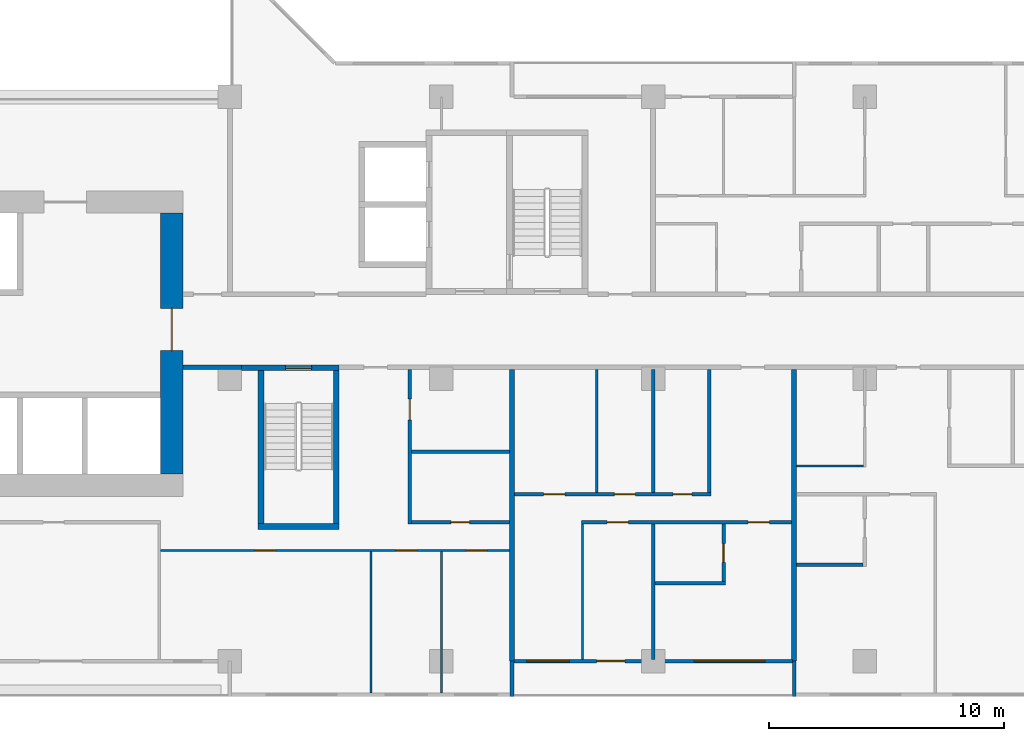
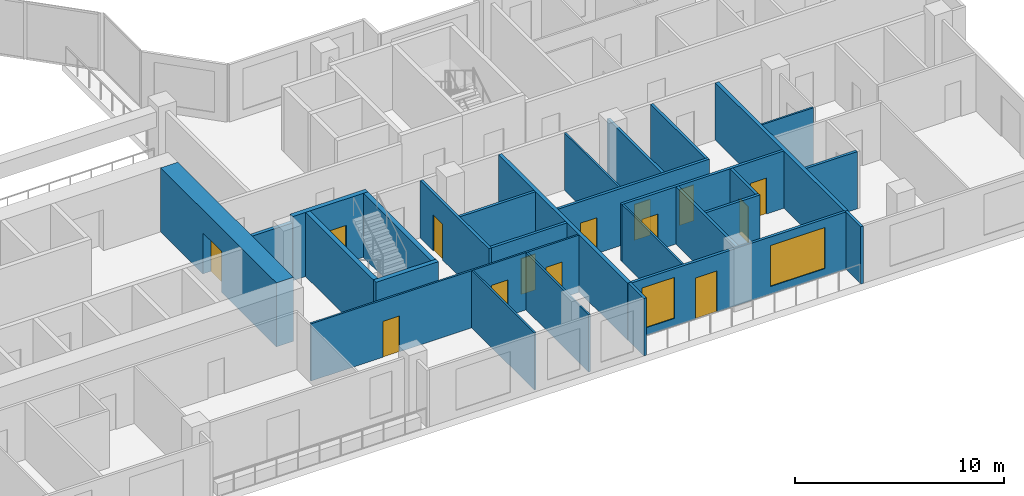
# One storey, part 6 of 14: 28 walls, 14 doors, 2 windows, 16 openings.
"""IFC4 building model written with IfcOpenShell, lengths in metres."""

import ifcopenshell
import ifcopenshell.guid

model = None  # the IFC model being written
_history = None  # IfcOwnerHistory: only IFC2X3 demands one
_inside = {}  # id of a spatial element -> (the spatial element, [elements in it])
_under = {}  # id of a project, library or spatial element -> (it, [spatial elements below it])
_declared = {}  # id of a project -> (the project, [libraries it declares])
_typed = {}  # id of a type object -> (the type object, [elements of that type])
_made_of = {}  # id of a material, layer set ... -> (it, [elements and type objects made of it])


def new_model(schema):
    """Start an empty IFC model of exactly this schema.

    Asked for "IFC4X3", IfcOpenShell would pick the latest addendum, in which some entities
    have other attributes; the version numbers below select the first issue.
    IFC2X3 requires an IfcOwnerHistory on every rooted entity: one is made here for all.
    """
    global model, _history
    if schema == "IFC4X3":
        model = ifcopenshell.file(schema_version=(4, 3, 0, 0))
    else:
        model = ifcopenshell.file(schema=schema)
    _inside.clear()
    _under.clear()
    _declared.clear()
    _typed.clear()
    _made_of.clear()
    _history = None
    if model.schema == "IFC2X3":
        org = make("IfcOrganization", Name="unknown")
        user = make(
            "IfcPersonAndOrganization",
            ThePerson=make("IfcPerson", FamilyName="unknown"),
            TheOrganization=org,
        )
        app = make(
            "IfcApplication",
            ApplicationDeveloper=org,
            Version="unknown",
            ApplicationFullName="unknown",
            ApplicationIdentifier="unknown",
        )
        _history = make(
            "IfcOwnerHistory",
            OwningUser=user,
            OwningApplication=app,
            ChangeAction="ADDED",
            CreationDate=0,
        )
    return model


def make(cls, **values):
    """One entity of the class cls with the attributes given. An attribute that is None is left unset."""
    return model.create_entity(
        cls, **{name: value for name, value in values.items() if value is not None}
    )


def rooted(cls, **values):
    """An entity with a GlobalId (a new one), such as an element, a storey or a relation."""
    return make(cls, GlobalId=ifcopenshell.guid.new(), OwnerHistory=_history, **values)


def si_unit(unit_type, name, prefix=None):
    """IfcSIUnit, for example si_unit("LENGTHUNIT", "METRE", prefix="MILLI")."""
    return make("IfcSIUnit", UnitType=unit_type, Prefix=prefix, Name=name)


def assignment(units):
    """IfcUnitAssignment: the units of a project."""
    return None if units is None else make("IfcUnitAssignment", Units=units)


def point(xyz):
    """IfcCartesianPoint."""
    return None if xyz is None else make("IfcCartesianPoint", Coordinates=xyz)


def direction(xyz):
    """IfcDirection."""
    return None if xyz is None else make("IfcDirection", DirectionRatios=xyz)


def frame(location, z_axis=None, x_axis=None):
    """IfcAxis2Placement3D, a coordinate frame: its origin and axes. An axis left out is left unset."""
    return make(
        "IfcAxis2Placement3D",
        Location=point(location),
        Axis=direction(z_axis),
        RefDirection=direction(x_axis),
    )


def frame_2d(location, x_axis=None):
    """IfcAxis2Placement2D, a coordinate frame in the plane: its origin and x axis."""
    return make(
        "IfcAxis2Placement2D", Location=point(location), RefDirection=direction(x_axis)
    )


def origin():
    """The frame at (0, 0, 0) with its axes left unset."""
    return frame((0.0, 0.0, 0.0))


def place(relative_to, where):
    """IfcLocalPlacement: puts the frame where relative to a parent placement (None: the world)."""
    return make(
        "IfcLocalPlacement", PlacementRelTo=relative_to, RelativePlacement=where
    )


def context(
    kind, dimensions, precision=None, world=None, true_north=None, identifier=None
):
    """IfcGeometricRepresentationContext, for example the 3D "Model" context."""
    return make(
        "IfcGeometricRepresentationContext",
        ContextIdentifier=identifier,
        ContextType=kind,
        CoordinateSpaceDimension=dimensions,
        Precision=precision,
        WorldCoordinateSystem=world,
        TrueNorth=true_north,
    )


def subcontext(parent, identifier, kind, view, scale=None):
    """IfcGeometricRepresentationSubContext, for example "Body" below "Model"."""
    return make(
        "IfcGeometricRepresentationSubContext",
        ContextIdentifier=identifier,
        ContextType=kind,
        ParentContext=parent,
        TargetScale=scale,
        TargetView=view,
    )


def project(units=None, contexts=None):
    """IfcProject with its units and contexts."""
    return rooted(
        "IfcProject",
        Name="project",
        RepresentationContexts=contexts,
        UnitsInContext=assignment(units),
    )


def spatial(cls, under=None, at=None, **own):
    """A site, building, storey or space (cls), placed at a placement, below another one or the project."""
    s = rooted(cls, ObjectPlacement=at, **own)
    if under is not None:
        _under.setdefault(under.id(), (under, []))[1].append(s)
    return s


def profile(cls, at=None, kind="AREA", **sizes):
    """A parametric profile (cls). Its sizes go by their IFC names, for example OverallWidth=200.0."""
    return make(cls, ProfileType=kind, Position=at, **sizes)


def rectangle(**sizes):
    """IfcRectangleProfileDef."""
    return profile("IfcRectangleProfileDef", **sizes)


def extrude(swept, where, along, depth):
    """IfcExtrudedAreaSolid: the profile swept, set in the frame where, extruded along a direction by depth."""
    return make(
        "IfcExtrudedAreaSolid",
        SweptArea=swept,
        Position=where,
        ExtrudedDirection=direction(along),
        Depth=depth,
    )


def shape(context_of_items, identifier, shape_type, items):
    """IfcShapeRepresentation: the items that make up one representation, for example the "Body"."""
    return make(
        "IfcShapeRepresentation",
        ContextOfItems=context_of_items,
        RepresentationIdentifier=identifier,
        RepresentationType=shape_type,
        Items=items,
    )


def material(Name=None, Category=None):
    """IfcMaterial."""
    return make("IfcMaterial", Name=Name, Category=Category)


def layer(
    of_material, thickness, ventilated=None, Name=None, Category=None, Priority=None
):
    """IfcMaterialLayer: one layer of a wall or slab, of a material (None: an air gap)."""
    return make(
        "IfcMaterialLayer",
        Material=of_material,
        LayerThickness=thickness,
        IsVentilated=ventilated,
        Name=Name,
        Category=Category,
        Priority=Priority,
    )


def layer_set(layers, Name=None):
    """IfcMaterialLayerSet."""
    return make("IfcMaterialLayerSet", MaterialLayers=layers, LayerSetName=Name)


def made_of(thing, what):
    """Note that an element or type object is made of a material, layer set ...; save() writes the relation."""
    if what is not None:
        _made_of.setdefault(what.id(), (what, []))[1].append(thing)
    return thing


def type_object(cls, material=None, **own):
    """A type object (cls), such as IfcWallType, which elements share."""
    return made_of(rooted(cls, **own), material)


def element(
    cls,
    number,
    at=None,
    inside=None,
    cuts=None,
    type_object=None,
    material=None,
    context=None,
    identifier="Body",
    shape_type=None,
    held_by="IfcProductDefinitionShape",
    body=None,
    shapes=None,
    **own,
):
    """One element of the class cls, such as IfcWall. Its Tag is "e" and its number.

    at: its placement. inside: the storey or other place that contains it. cuts: it is an
    opening in that element (IfcRelVoidsElement). A single representation is given by context,
    identifier, shape_type and body (its items); several are given by shapes. held_by: the class
    of the entity that holds the representations. save() writes the other relations.
    """
    e = rooted(cls, Tag="e%d" % number, ObjectPlacement=at, **own)
    if body is not None:
        shapes = [shape(context, identifier, shape_type, body)]
    if shapes is not None:
        e.Representation = make(held_by, Representations=shapes)
    if inside is not None:
        _inside.setdefault(inside.id(), (inside, []))[1].append(e)
    if cuts is not None:
        rooted(
            "IfcRelVoidsElement", RelatingBuildingElement=cuts, RelatedOpeningElement=e
        )
    if type_object is not None:
        _typed.setdefault(type_object.id(), (type_object, []))[1].append(e)
    return made_of(e, material)


def fill(opening, filler):
    """IfcRelFillsElement: the door or window that sits in an opening."""
    return rooted(
        "IfcRelFillsElement",
        RelatingOpeningElement=opening,
        RelatedBuildingElement=filler,
    )


def aggregate(whole, parts):
    """IfcRelAggregates: a whole, such as a stair, and the parts it consists of."""
    return rooted("IfcRelAggregates", RelatingObject=whole, RelatedObjects=parts)


def save(model, path):
    """Write the relations noted so far, then the file.

    IfcRelAggregates (storeys below a building ...), IfcRelContainedInSpatialStructure (elements
    in a storey), IfcRelDefinesByType, IfcRelAssociatesMaterial and IfcRelDeclares: one each for
    every whole, place, type object, material and project.
    """
    for whole, parts in _under.values():
        aggregate(whole, parts)
    for where, things in _inside.values():
        rooted(
            "IfcRelContainedInSpatialStructure",
            RelatedElements=things,
            RelatingStructure=where,
        )
    for kind, things in _typed.values():
        rooted("IfcRelDefinesByType", RelatedObjects=things, RelatingType=kind)
    for what, things in _made_of.values():
        rooted("IfcRelAssociatesMaterial", RelatedObjects=things, RelatingMaterial=what)
    for by, libraries in _declared.values():
        rooted("IfcRelDeclares", RelatingContext=by, RelatedDefinitions=libraries)
    model.write(path)


model = new_model("IFC4")

# Units and contexts
model_context = context("Model", 3, precision=1e-05, world=origin(), true_north=direction((0.0, 1.0)))
body_context = subcontext(model_context, "Body", "Model", "MODEL_VIEW")
ifc_project = project(units=[si_unit("LENGTHUNIT", "METRE"), si_unit("AREAUNIT", "SQUARE_METRE"), si_unit("VOLUMEUNIT", "CUBIC_METRE"), si_unit("PLANEANGLEUNIT", "RADIAN"), si_unit("MASSUNIT", "GRAM", prefix="KILO")], contexts=[model_context])

# Site, building, storey
site_placement = place(None, origin())
site = spatial("IfcSite", under=ifc_project, at=site_placement, CompositionType="ELEMENT")
building_placement = place(site_placement, origin())
building = spatial("IfcBuilding", under=site, at=building_placement, Name="Chenar Terraces", CompositionType="ELEMENT")
storey_placement = place(building_placement, frame((0.0, 0.0, 110.64990234375)))
storey = spatial("IfcBuildingStorey", under=building, at=storey_placement, Name="L25", CompositionType="ELEMENT", Elevation=110.64990234375)

# Wall
ifc_material_1 = material(Name="Concrete C70/85", Category="concrete")
ifc_layer_1 = layer(ifc_material_1, 0.25)
ifc_layer_set_1 = layer_set([ifc_layer_1], Name="Concrete C70/85")
wall_type_1 = type_object("IfcWallType", Name="Core wall 250 Concrete C70/85", PredefinedType="SHEAR", material=ifc_layer_set_1)
wall_1_placement = place(storey_placement, frame((37.199951171875, 5.72509765625, 0.0), z_axis=(0.0, 0.0, 1.0), x_axis=(1.0, 0.0, 0.0)))
element("IfcWall", 1, at=wall_1_placement, inside=storey, type_object=wall_type_1, Name="Core wall ST2_S L25", PredefinedType="SHEAR", context=body_context, shape_type="SweptSolid", body=[
    extrude(rectangle(XDim=3.449951171875, YDim=0.25, at=frame_2d((1.72509765625, 0.0))), origin(), (0.0, 0.0, 1.0), 3.75),
])

# Wall, opening, door
wall_2_placement = place(storey_placement, frame((36.5, 12.47509765625, 0.0), z_axis=(0.0, 0.0, 1.0), x_axis=(1.0, 0.0, 0.0)))
wall_2 = element("IfcWall", 2, at=wall_2_placement, inside=storey, type_object=wall_type_1, Name="Core wall ST2_N L25", PredefinedType="SHEAR", context=body_context, shape_type="SweptSolid", body=[
    extrude(rectangle(XDim=4.14990234375, YDim=0.25, at=frame_2d((2.074951171875, 0.0))), origin(), (0.0, 0.0, 1.0), 3.75),
])
opening_1_placement = place(wall_2_placement, frame((1.875, 0.0, 0.0)))
opening_1 = element("IfcOpeningElement", 3, at=opening_1_placement, cuts=wall_2, Name="Opening DL25-C7", PredefinedType="OPENING", context=body_context, shape_type="SweptSolid", body=[
    extrude(rectangle(XDim=1.10009765625, YDim=2.199951171875, at=frame_2d((0.550048828125, 1.10009765625))), frame((0.0, 0.135009765625, 0.0), z_axis=(0.0, -1.0, 0.0), x_axis=(1.0, 0.0, 0.0)), (0.0, 0.0, 1.0), 0.27001953125),
])
ifc_material_2 = material(Name="Steel-framed fire-resisting door leaf", Category="steel")
door_type_1 = type_object("IfcDoorType", Name="Stair fire door FD60 1100 x 2200", OperationType="SINGLE_SWING_LEFT", PredefinedType="DOOR", material=ifc_material_2)
door_1_placement = place(opening_1_placement, frame((1.10009765625, 0.0, 0.0), z_axis=(0.0, 0.0, 1.0), x_axis=(-1.0, 0.0, 0.0)))
door_1 = element("IfcDoor", 4, at=door_1_placement, inside=storey, type_object=door_type_1, Name="Stair door DL25-C7", OperationType="SINGLE_SWING_RIGHT", OverallHeight=2.199951171875, OverallWidth=1.10009765625, PredefinedType="DOOR", context=body_context, shape_type="SweptSolid", body=[
    extrude(rectangle(XDim=1.10009765625, YDim=2.199951171875, at=frame_2d((0.550048828125, 1.10009765625))), frame((0.0, 0.02490234375, 0.0), z_axis=(0.0, -1.0, 0.0), x_axis=(1.0, 0.0, 0.0)), (0.0, 0.0, 1.0), 0.050048828125),
])
fill(opening_1, door_1)

# Walls
for number, where, z_axis, x_axis, name in (
    (5, (37.324951171875, 5.85009765625, 0.0), (0.0, 0.0, 1.0), (0.0, 1.0, 0.0), "Core wall ST2_W L25"),
    (6, (40.52490234375, 5.85009765625, 0.0), (0.0, 0.0, 1.0), (0.0, 1.0, 0.0), "Core wall ST2_E L25"),
):
    element("IfcWall", number, at=place(storey_placement, frame(where, z_axis=z_axis, x_axis=x_axis)), inside=storey, type_object=wall_type_1, Name=name, PredefinedType="SHEAR", context=body_context, shape_type="SweptSolid", body=[
        extrude(rectangle(XDim=6.5, YDim=0.25, at=frame_2d((3.25, 0.0))), origin(), (0.0, 0.0, 1.0), 3.75),
    ])

# Wall, opening, door
ifc_material_3 = material(Name="Concrete C70/85", Category="concrete")
ifc_layer_2 = layer(ifc_material_3, 0.949951171875)
ifc_layer_set_2 = layer_set([ifc_layer_2], Name="Concrete C70/85")
wall_type_2 = type_object("IfcWallType", Name="Core wall 950 Concrete C70/85", PredefinedType="SHEAR", material=ifc_layer_set_2)
wall_3_placement = place(storey_placement, frame((33.52490234375, 7.949951171875, 0.0), z_axis=(0.0, 0.0, 1.0), x_axis=(0.0, 1.0, 0.0)))
wall_3 = element("IfcWall", 7, at=wall_3_placement, inside=storey, type_object=wall_type_2, Name="Core wall E L25", PredefinedType="SHEAR", context=body_context, shape_type="SweptSolid", body=[
    extrude(rectangle(XDim=11.10009765625, YDim=0.949951171875, at=frame_2d((5.550048828125, 0.0))), origin(), (0.0, 0.0, 1.0), 3.75),
])
opening_2_placement = place(wall_3_placement, frame((5.25, 0.0, 0.0)))
opening_2 = element("IfcOpeningElement", 8, at=opening_2_placement, cuts=wall_3, Name="Opening DL25-C1", PredefinedType="OPENING", context=body_context, shape_type="SweptSolid", body=[
    extrude(rectangle(XDim=1.800048828125, YDim=2.39990234375, at=frame_2d((0.89990234375, 1.199951171875))), frame((0.0, 0.48486328125, 0.0), z_axis=(0.0, -1.0, 0.0), x_axis=(1.0, 0.0, 0.0)), (0.0, 0.0, 1.0), 0.969970703125),
])
ifc_material_4 = material(Name="Steel-framed fire-resisting door leaf", Category="steel")
door_type_2 = type_object("IfcDoorType", Name="Core entrance double fire door FD60 1800 x 2400", OperationType="DOUBLE_DOOR_SINGLE_SWING", PredefinedType="DOOR", material=ifc_material_4)
door_2_placement = place(opening_2_placement, origin())
door_2 = element("IfcDoor", 9, at=door_2_placement, inside=storey, type_object=door_type_2, Name="Core door DL25-C1", OperationType="DOUBLE_DOOR_SINGLE_SWING", OverallHeight=2.39990234375, OverallWidth=1.800048828125, PredefinedType="DOOR", context=body_context, shape_type="SweptSolid", body=[
    extrude(rectangle(XDim=1.800048828125, YDim=2.39990234375, at=frame_2d((0.89990234375, 1.199951171875))), frame((0.0, 0.02490234375, 0.0), z_axis=(0.0, -1.0, 0.0), x_axis=(1.0, 0.0, 0.0)), (0.0, 0.0, 1.0), 0.050048828125),
])
fill(opening_2, door_2)

# Wall
ifc_material_5 = material(Name="Gypsum board on steel studs with fire boards", Category="steel")
ifc_layer_3 = layer(ifc_material_5, 0.199951171875)
ifc_layer_set_3 = layer_set([ifc_layer_3], Name="Gypsum board on steel studs with fire boards")
wall_type_3 = type_object("IfcWallType", Name="Corridor wall 200", PredefinedType="PARTITIONING", material=ifc_layer_set_3)
wall_4_placement = place(storey_placement, frame((34.0, 12.5, 0.0), z_axis=(0.0, 0.0, 1.0), x_axis=(1.0, 0.0, 0.0)))
element("IfcWall", 10, at=wall_4_placement, inside=storey, type_object=wall_type_3, Name="Partition L25-061", PredefinedType="PARTITIONING", context=body_context, shape_type="SweptSolid", body=[
    extrude(rectangle(XDim=2.5009765625, YDim=0.199951171875, at=frame_2d((1.25048828125, 0.0))), origin(), (0.0, 0.0, 1.0), 3.35009765625),
])

# Wall, openings, windows, door
ifc_material_6 = material(Name="Aluminium framed glazing", Category="aluminium")
ifc_layer_4 = layer(ifc_material_6, 0.14990234375)
ifc_layer_set_4 = layer_set([ifc_layer_4], Name="Aluminium framed glazing")
wall_type_4 = type_object("IfcWallType", Name="Glazed loggia back wall 150", PredefinedType="SOLIDWALL", material=ifc_layer_set_4)
wall_5_placement = place(storey_placement, frame((48.074951171875, 0.0, 0.0), z_axis=(0.0, 0.0, 1.0), x_axis=(1.0, 0.0, 0.0)))
wall_5 = element("IfcWall", 11, at=wall_5_placement, inside=storey, type_object=wall_type_4, Name="Glazed loggia back wall", PredefinedType="SOLIDWALL", context=body_context, shape_type="SweptSolid", body=[
    extrude(rectangle(XDim=11.85009765625, YDim=0.14990234375, at=frame_2d((5.925048828125, 0.0))), origin(), (0.0, 0.0, 1.0), 3.35009765625),
])
opening_3_placement = place(wall_5_placement, frame((0.5625, 0.0, 0.449951171875)))
opening_3 = element("IfcOpeningElement", 12, at=opening_3_placement, cuts=wall_5, Name="Opening W180x240", PredefinedType="OPENING", context=body_context, shape_type="SweptSolid", body=[
    extrude(rectangle(XDim=1.800048828125, YDim=2.39990234375, at=frame_2d((0.89990234375, 1.199951171875))), frame((0.0, 0.0849609375, 0.0), z_axis=(0.0, -1.0, 0.0), x_axis=(1.0, 0.0, 0.0)), (0.0, 0.0, 1.0), 0.169921875),
])
opening_4_placement = place(wall_5_placement, frame((3.52490234375, 0.0, 0.0)))
opening_4 = element("IfcOpeningElement", 13, at=opening_4_placement, cuts=wall_5, Name="Opening DL25-G7", PredefinedType="OPENING", context=body_context, shape_type="SweptSolid", body=[
    extrude(rectangle(XDim=1.199951171875, YDim=2.39990234375, at=frame_2d((0.60009765625, 1.199951171875))), frame((0.0, 0.0849609375, 0.0), z_axis=(0.0, -1.0, 0.0), x_axis=(1.0, 0.0, 0.0)), (0.0, 0.0, 1.0), 0.169921875),
])
opening_5_placement = place(wall_5_placement, frame((7.6875, 0.0, 0.449951171875)))
opening_5 = element("IfcOpeningElement", 14, at=opening_5_placement, cuts=wall_5, Name="Opening W300x240", PredefinedType="OPENING", context=body_context, shape_type="SweptSolid", body=[
    extrude(rectangle(XDim=3.0, YDim=2.39990234375, at=frame_2d((1.5, 1.199951171875))), frame((0.0, 0.0849609375, 0.0), z_axis=(0.0, -1.0, 0.0), x_axis=(1.0, 0.0, 0.0)), (0.0, 0.0, 1.0), 0.169921875),
])
ifc_material_7 = material(Name="Low emissivity double glazing, aluminium frame", Category="aluminium")
window_type_1 = type_object("IfcWindowType", Name="Fixed light 1800 x 2400", PartitioningType="SINGLE_PANEL", PredefinedType="WINDOW", material=ifc_material_7)
window_1_placement = place(opening_3_placement, origin())
window_1 = element("IfcWindow", 15, at=window_1_placement, inside=storey, type_object=window_type_1, Name="Window", OverallHeight=2.39990234375, OverallWidth=1.800048828125, PartitioningType="SINGLE_PANEL", PredefinedType="WINDOW", context=body_context, shape_type="SweptSolid", body=[
    extrude(rectangle(XDim=1.800048828125, YDim=2.39990234375, at=frame_2d((0.89990234375, 1.199951171875))), frame((0.0, 0.030029296875, 0.0), z_axis=(0.0, -1.0, 0.0), x_axis=(1.0, 0.0, 0.0)), (0.0, 0.0, 1.0), 0.06005859375),
])
fill(opening_3, window_1)
ifc_material_8 = material(Name="Low emissivity double glazing, aluminium frame", Category="aluminium")
window_type_2 = type_object("IfcWindowType", Name="Fixed light 3000 x 2400", PartitioningType="SINGLE_PANEL", PredefinedType="WINDOW", material=ifc_material_8)
window_2_placement = place(opening_5_placement, origin())
window_2 = element("IfcWindow", 16, at=window_2_placement, inside=storey, type_object=window_type_2, Name="Window", OverallHeight=2.39990234375, OverallWidth=3.0, PartitioningType="SINGLE_PANEL", PredefinedType="WINDOW", context=body_context, shape_type="SweptSolid", body=[
    extrude(rectangle(XDim=3.0, YDim=2.39990234375, at=frame_2d((1.5, 1.199951171875))), frame((0.0, 0.030029296875, 0.0), z_axis=(0.0, -1.0, 0.0), x_axis=(1.0, 0.0, 0.0)), (0.0, 0.0, 1.0), 0.06005859375),
])
fill(opening_5, window_2)
ifc_material_9 = material(Name="Low emissivity double glazing, aluminium frame", Category="aluminium")
door_type_3 = type_object("IfcDoorType", Name="Loggia glazed double door 1200 x 2400", OperationType="DOUBLE_DOOR_SINGLE_SWING", PredefinedType="DOOR", material=ifc_material_9)
door_3_placement = place(opening_4_placement, frame((1.199951171875, 0.0, 0.0), z_axis=(0.0, 0.0, 1.0), x_axis=(-1.0, 0.0, 0.0)))
door_3 = element("IfcDoor", 17, at=door_3_placement, inside=storey, type_object=door_type_3, Name="Loggia glazed door", OperationType="DOUBLE_DOOR_SINGLE_SWING", OverallHeight=2.39990234375, OverallWidth=1.199951171875, PredefinedType="DOOR", context=body_context, shape_type="SweptSolid", body=[
    extrude(rectangle(XDim=1.199951171875, YDim=2.39990234375, at=frame_2d((0.60009765625, 1.199951171875))), frame((0.0, 0.02490234375, 0.0), z_axis=(0.0, -1.0, 0.0), x_axis=(1.0, 0.0, 0.0)), (0.0, 0.0, 1.0), 0.050048828125),
])
fill(opening_4, door_3)

# Wall, openings, doors
ifc_material_10 = material(Name="Gypsum board on steel studs", Category="steel")
ifc_layer_5 = layer(ifc_material_10, 0.10009765625)
ifc_layer_set_5 = layer_set([ifc_layer_5], Name="Gypsum board on steel studs")
wall_type_5 = type_object("IfcWallType", Name="Gypsum partition 100", PredefinedType="PARTITIONING", material=ifc_layer_set_5)
wall_6_placement = place(storey_placement, frame((33.050048828125, 4.699951171875, 0.0), z_axis=(0.0, 0.0, 1.0), x_axis=(1.0, 0.0, 0.0)))
wall_6 = element("IfcWall", 18, at=wall_6_placement, inside=storey, type_object=wall_type_5, Name="Partition L25-060", PredefinedType="PARTITIONING", context=body_context, shape_type="SweptSolid", body=[
    extrude(rectangle(XDim=14.849853515625, YDim=0.10009765625, at=frame_2d((7.4248046875, 0.0))), origin(), (0.0, 0.0, 1.0), 3.35009765625),
])
opening_6_placement = place(wall_6_placement, frame((10.0, 0.0, 0.0)))
opening_6 = element("IfcOpeningElement", 19, at=opening_6_placement, cuts=wall_6, Name="Opening DL25-54", PredefinedType="OPENING", context=body_context, shape_type="SweptSolid", body=[
    extrude(rectangle(XDim=0.89990234375, YDim=2.10009765625, at=frame_2d((0.449951171875, 1.050048828125))), frame((0.0, 0.06005859375, 0.0), z_axis=(0.0, -1.0, 0.0), x_axis=(1.0, 0.0, 0.0)), (0.0, 0.0, 1.0), 0.1201171875),
])
opening_7_placement = place(wall_6_placement, frame((13.0, 0.0, 0.0)))
opening_7 = element("IfcOpeningElement", 20, at=opening_7_placement, cuts=wall_6, Name="Opening DL25-55", PredefinedType="OPENING", context=body_context, shape_type="SweptSolid", body=[
    extrude(rectangle(XDim=0.89990234375, YDim=2.10009765625, at=frame_2d((0.449951171875, 1.050048828125))), frame((0.0, 0.06005859375, 0.0), z_axis=(0.0, -1.0, 0.0), x_axis=(1.0, 0.0, 0.0)), (0.0, 0.0, 1.0), 0.1201171875),
])
opening_8_placement = place(wall_6_placement, frame((4.0, 0.0, 0.0)))
opening_8 = element("IfcOpeningElement", 21, at=opening_8_placement, cuts=wall_6, Name="Opening DL25-63", PredefinedType="OPENING", context=body_context, shape_type="SweptSolid", body=[
    extrude(rectangle(XDim=0.89990234375, YDim=2.10009765625, at=frame_2d((0.449951171875, 1.050048828125))), frame((0.0, 0.06005859375, 0.0), z_axis=(0.0, -1.0, 0.0), x_axis=(1.0, 0.0, 0.0)), (0.0, 0.0, 1.0), 0.1201171875),
])
ifc_material_11 = material(Name="Veneered timber door leaf", Category="wood")
door_type_4 = type_object("IfcDoorType", Name="Door 900 x 2100", OperationType="SINGLE_SWING_LEFT", PredefinedType="DOOR", material=ifc_material_11)
door_4_placement = place(opening_6_placement, frame((0.89990234375, 0.0, 0.0), z_axis=(0.0, 0.0, 1.0), x_axis=(-1.0, 0.0, 0.0)))
door_4 = element("IfcDoor", 22, at=door_4_placement, inside=storey, type_object=door_type_4, Name="Door DL25-54", OperationType="SINGLE_SWING_LEFT", OverallHeight=2.10009765625, OverallWidth=0.89990234375, PredefinedType="DOOR", context=body_context, shape_type="SweptSolid", body=[
    extrude(rectangle(XDim=0.89990234375, YDim=2.10009765625, at=frame_2d((0.449951171875, 1.050048828125))), frame((0.0, 0.02490234375, 0.0), z_axis=(0.0, -1.0, 0.0), x_axis=(1.0, 0.0, 0.0)), (0.0, 0.0, 1.0), 0.050048828125),
])
fill(opening_6, door_4)
door_5_placement = place(opening_7_placement, frame((0.89990234375, 0.0, 0.0), z_axis=(0.0, 0.0, 1.0), x_axis=(-1.0, 0.0, 0.0)))
door_5 = element("IfcDoor", 23, at=door_5_placement, inside=storey, type_object=door_type_4, Name="Door DL25-55", OperationType="SINGLE_SWING_LEFT", OverallHeight=2.10009765625, OverallWidth=0.89990234375, PredefinedType="DOOR", context=body_context, shape_type="SweptSolid", body=[
    extrude(rectangle(XDim=0.89990234375, YDim=2.10009765625, at=frame_2d((0.449951171875, 1.050048828125))), frame((0.0, 0.02490234375, 0.0), z_axis=(0.0, -1.0, 0.0), x_axis=(1.0, 0.0, 0.0)), (0.0, 0.0, 1.0), 0.050048828125),
])
fill(opening_7, door_5)
door_6_placement = place(opening_8_placement, frame((0.89990234375, 0.0, 0.0), z_axis=(0.0, 0.0, 1.0), x_axis=(-1.0, 0.0, 0.0)))
door_6 = element("IfcDoor", 24, at=door_6_placement, inside=storey, type_object=door_type_4, Name="Door DL25-63", OperationType="SINGLE_SWING_LEFT", OverallHeight=2.10009765625, OverallWidth=0.89990234375, PredefinedType="DOOR", context=body_context, shape_type="SweptSolid", body=[
    extrude(rectangle(XDim=0.89990234375, YDim=2.10009765625, at=frame_2d((0.449951171875, 1.050048828125))), frame((0.0, 0.02490234375, 0.0), z_axis=(0.0, -1.0, 0.0), x_axis=(1.0, 0.0, 0.0)), (0.0, 0.0, 1.0), 0.050048828125),
])
fill(opening_8, door_6)

# Walls
wall_7_placement = place(storey_placement, frame((42.0, -1.35009765625, 0.0), z_axis=(0.0, 0.0, 1.0), x_axis=(0.0, 1.0, 0.0)))
element("IfcWall", 25, at=wall_7_placement, inside=storey, type_object=wall_type_5, Name="Partition L25-065", PredefinedType="PARTITIONING", context=body_context, shape_type="SweptSolid", body=[
    extrude(rectangle(XDim=6.0, YDim=0.10009765625, at=frame_2d((3.0, 0.0))), origin(), (0.0, 0.0, 1.0), 3.35009765625),
])
wall_8_placement = place(storey_placement, frame((45.0, -1.35107421875, 0.0), z_axis=(0.0, 0.0, 1.0), x_axis=(0.0, 1.0, 0.0)))
element("IfcWall", 26, at=wall_8_placement, inside=storey, type_object=wall_type_5, Name="Partition L25-069", PredefinedType="PARTITIONING", context=body_context, shape_type="SweptSolid", body=[
    extrude(rectangle(XDim=6.0009765625, YDim=0.10009765625, at=frame_2d((3.00048828125, 0.0))), origin(), (0.0, 0.0, 1.0), 3.35009765625),
])
wall_9_placement = place(storey_placement, frame((51.0, 0.073974609375, 0.0), z_axis=(0.0, 0.0, 1.0), x_axis=(0.0, 1.0, 0.0)))
element("IfcWall", 27, at=wall_9_placement, inside=storey, type_object=wall_type_5, Name="Partition L25-074", PredefinedType="PARTITIONING", context=body_context, shape_type="SweptSolid", body=[
    extrude(rectangle(XDim=5.7509765625, YDim=0.10009765625, at=frame_2d((2.87548828125, 0.0))), origin(), (0.0, 0.0, 1.0), 3.35009765625),
])
wall_10_placement = place(storey_placement, frame((51.60009765625, 7.175048828125, 0.0), z_axis=(0.0, 0.0, 1.0), x_axis=(0.0, 1.0, 0.0)))
element("IfcWall", 28, at=wall_10_placement, inside=storey, type_object=wall_type_5, Name="Partition L25-076", PredefinedType="PARTITIONING", context=body_context, shape_type="SweptSolid", body=[
    extrude(rectangle(XDim=5.224853515625, YDim=0.10009765625, at=frame_2d((2.6123046875, 0.0))), origin(), (0.0, 0.0, 1.0), 3.35009765625),
])
wall_11_placement = place(storey_placement, frame((60.10009765625, 8.300048828125, 0.0), z_axis=(0.0, 0.0, 1.0), x_axis=(1.0, 0.0, 0.0)))
element("IfcWall", 29, at=wall_11_placement, inside=storey, type_object=wall_type_5, Name="Partition L25-091", PredefinedType="PARTITIONING", context=body_context, shape_type="SweptSolid", body=[
    extrude(rectangle(XDim=2.849853515625, YDim=0.10009765625, at=frame_2d((1.4248046875, 0.0))), origin(), (0.0, 0.0, 1.0), 3.35009765625),
])
ifc_material_12 = material(Name="Terracotta cladding on insulated backing", Category="masonry")
ifc_layer_6 = layer(ifc_material_12, 0.14990234375)
ifc_layer_set_6 = layer_set([ifc_layer_6], Name="Terracotta cladding on insulated backing")
wall_type_6 = type_object("IfcWallType", Name="Loggia return wall 150", PredefinedType="SOLIDWALL", material=ifc_layer_set_6)
for number, where, z_axis, x_axis, name in (
    (30, (48.0, -1.5, 0.0), (0.0, 0.0, 1.0), (0.0, 1.0, 0.0), "Loggia return wall"),
    (31, (60.0, -1.5, 0.0), (0.0, 0.0, 1.0), (0.0, 1.0, 0.0), "Loggia return wall"),
):
    element("IfcWall", number, at=place(storey_placement, frame(where, z_axis=z_axis, x_axis=x_axis)), inside=storey, type_object=wall_type_6, Name=name, PredefinedType="SOLIDWALL", context=body_context, shape_type="SweptSolid", body=[
        extrude(rectangle(XDim=1.5, YDim=0.14990234375, at=frame_2d((0.75, 0.0))), origin(), (0.0, 0.0, 1.0), 3.35009765625),
    ])
ifc_material_13 = material(Name="Twin gypsum board on steel studs with mineral wool", Category="steel")
ifc_layer_7 = layer(ifc_material_13, 0.199951171875)
ifc_layer_set_7 = layer_set([ifc_layer_7], Name="Twin gypsum board on steel studs with mineral wool")
wall_type_7 = type_object("IfcWallType", Name="Unit demising wall 200", PredefinedType="PARTITIONING", material=ifc_layer_set_7)
for number, where, z_axis, x_axis, name in (
    (32, (48.0, 0.0, 0.0), (0.0, 0.0, 1.0), (0.0, 1.0, 0.0), "Partition L25-071"),
    (33, (60.0, 0.0, 0.0), (0.0, 0.0, 1.0), (0.0, 1.0, 0.0), "Partition L25-087"),
):
    element("IfcWall", number, at=place(storey_placement, frame(where, z_axis=z_axis, x_axis=x_axis)), inside=storey, type_object=wall_type_7, Name=name, PredefinedType="PARTITIONING", context=body_context, shape_type="SweptSolid", body=[
        extrude(rectangle(XDim=12.39990234375, YDim=0.199951171875, at=frame_2d((6.199951171875, 0.0))), origin(), (0.0, 0.0, 1.0), 3.35009765625),
    ])

# Wall, opening, door
ifc_material_14 = material(Name="Moisture-resistant gypsum board on steel studs", Category="steel")
ifc_layer_8 = layer(ifc_material_14, 0.14990234375)
ifc_layer_set_8 = layer_set([ifc_layer_8], Name="Moisture-resistant gypsum board on steel studs")
wall_type_8 = type_object("IfcWallType", Name="Wet-room partition 150", PredefinedType="PARTITIONING", material=ifc_layer_set_8)
wall_12_placement = place(storey_placement, frame((43.64990234375, 5.824951171875, 0.0), z_axis=(0.0, 0.0, 1.0), x_axis=(0.0, 1.0, 0.0)))
wall_12 = element("IfcWall", 34, at=wall_12_placement, inside=storey, type_object=wall_type_8, Name="Partition L25-066", PredefinedType="PARTITIONING", context=body_context, shape_type="SweptSolid", body=[
    extrude(rectangle(XDim=6.574951171875, YDim=0.14990234375, at=frame_2d((3.28759765625, 0.0))), origin(), (0.0, 0.0, 1.0), 3.35009765625),
])
opening_9_placement = place(wall_12_placement, frame((4.425048828125, 0.0, 0.0)))
opening_9 = element("IfcOpeningElement", 35, at=opening_9_placement, cuts=wall_12, Name="Opening DL25-61", PredefinedType="OPENING", context=body_context, shape_type="SweptSolid", body=[
    extrude(rectangle(XDim=0.89990234375, YDim=2.10009765625, at=frame_2d((0.449951171875, 1.050048828125))), frame((0.0, 0.0849609375, 0.0), z_axis=(0.0, -1.0, 0.0), x_axis=(1.0, 0.0, 0.0)), (0.0, 0.0, 1.0), 0.169921875),
])
door_7_placement = place(opening_9_placement, frame((0.89990234375, 0.0, 0.0), z_axis=(0.0, 0.0, 1.0), x_axis=(-1.0, 0.0, 0.0)))
door_7 = element("IfcDoor", 36, at=door_7_placement, inside=storey, type_object=door_type_4, Name="Door DL25-61", OperationType="SINGLE_SWING_LEFT", OverallHeight=2.10009765625, OverallWidth=0.89990234375, PredefinedType="DOOR", context=body_context, shape_type="SweptSolid", body=[
    extrude(rectangle(XDim=0.89990234375, YDim=2.10009765625, at=frame_2d((0.449951171875, 1.050048828125))), frame((0.0, 0.02490234375, 0.0), z_axis=(0.0, -1.0, 0.0), x_axis=(1.0, 0.0, 0.0)), (0.0, 0.0, 1.0), 0.050048828125),
])
fill(opening_9, door_7)

wall_13_placement = place(storey_placement, frame((43.72509765625, 5.89990234375, 0.0), z_axis=(0.0, 0.0, 1.0), x_axis=(1.0, 0.0, 0.0)))
wall_13 = element("IfcWall", 37, at=wall_13_placement, inside=storey, type_object=wall_type_8, Name="Partition L25-067", PredefinedType="PARTITIONING", context=body_context, shape_type="SweptSolid", body=[
    extrude(rectangle(XDim=4.1748046875, YDim=0.14990234375, at=frame_2d((2.08740234375, 0.0))), origin(), (0.0, 0.0, 1.0), 3.35009765625),
])
opening_10_placement = place(wall_13_placement, frame((1.675048828125, 0.0, 0.0)))
opening_10 = element("IfcOpeningElement", 38, at=opening_10_placement, cuts=wall_13, Name="Opening DL25-51", PredefinedType="OPENING", context=body_context, shape_type="SweptSolid", body=[
    extrude(rectangle(XDim=0.800048828125, YDim=2.10009765625, at=frame_2d((0.39990234375, 1.050048828125))), frame((0.0, 0.0849609375, 0.0), z_axis=(0.0, -1.0, 0.0), x_axis=(1.0, 0.0, 0.0)), (0.0, 0.0, 1.0), 0.169921875),
])
ifc_material_15 = material(Name="Veneered timber door leaf", Category="wood")
door_type_5 = type_object("IfcDoorType", Name="Door 800 x 2100", OperationType="SINGLE_SWING_LEFT", PredefinedType="DOOR", material=ifc_material_15)
door_8_placement = place(opening_10_placement, origin())
door_8 = element("IfcDoor", 39, at=door_8_placement, inside=storey, type_object=door_type_5, Name="Door DL25-51", OperationType="SINGLE_SWING_LEFT", OverallHeight=2.10009765625, OverallWidth=0.800048828125, PredefinedType="DOOR", context=body_context, shape_type="SweptSolid", body=[
    extrude(rectangle(XDim=0.800048828125, YDim=2.10009765625, at=frame_2d((0.39990234375, 1.050048828125))), frame((0.0, 0.02490234375, 0.0), z_axis=(0.0, -1.0, 0.0), x_axis=(1.0, 0.0, 0.0)), (0.0, 0.0, 1.0), 0.050048828125),
])
fill(opening_10, door_8)

# Wall
wall_14_placement = place(storey_placement, frame((43.72509765625, 8.89990234375, 0.0), z_axis=(0.0, 0.0, 1.0), x_axis=(1.0, 0.0, 0.0)))
element("IfcWall", 40, at=wall_14_placement, inside=storey, type_object=wall_type_8, Name="Partition L25-068", PredefinedType="PARTITIONING", context=body_context, shape_type="SweptSolid", body=[
    extrude(rectangle(XDim=4.1748046875, YDim=0.14990234375, at=frame_2d((2.08740234375, 0.0))), origin(), (0.0, 0.0, 1.0), 3.35009765625),
])

# Wall, openings, doors
wall_15_placement = place(storey_placement, frame((48.10009765625, 7.10009765625, 0.0), z_axis=(0.0, 0.0, 1.0), x_axis=(1.0, 0.0, 0.0)))
wall_15 = element("IfcWall", 41, at=wall_15_placement, inside=storey, type_object=wall_type_8, Name="Partition L25-072", PredefinedType="PARTITIONING", context=body_context, shape_type="SweptSolid", body=[
    extrude(rectangle(XDim=8.375, YDim=0.14990234375, at=frame_2d((4.1875, 0.0))), origin(), (0.0, 0.0, 1.0), 3.35009765625),
])
opening_11_placement = place(wall_15_placement, frame((6.75, 0.0, 0.0)))
opening_11 = element("IfcOpeningElement", 42, at=opening_11_placement, cuts=wall_15, Name="Opening DL25-13", PredefinedType="OPENING", context=body_context, shape_type="SweptSolid", body=[
    extrude(rectangle(XDim=0.800048828125, YDim=2.10009765625, at=frame_2d((0.39990234375, 1.050048828125))), frame((0.0, 0.0849609375, 0.0), z_axis=(0.0, -1.0, 0.0), x_axis=(1.0, 0.0, 0.0)), (0.0, 0.0, 1.0), 0.169921875),
])
opening_12_placement = place(wall_15_placement, frame((1.25, 0.0, 0.0)))
opening_12 = element("IfcOpeningElement", 43, at=opening_12_placement, cuts=wall_15, Name="Opening DL25-17", PredefinedType="OPENING", context=body_context, shape_type="SweptSolid", body=[
    extrude(rectangle(XDim=0.89990234375, YDim=2.10009765625, at=frame_2d((0.449951171875, 1.050048828125))), frame((0.0, 0.0849609375, 0.0), z_axis=(0.0, -1.0, 0.0), x_axis=(1.0, 0.0, 0.0)), (0.0, 0.0, 1.0), 0.169921875),
])
opening_13_placement = place(wall_15_placement, frame((4.25, 0.0, 0.0)))
opening_13 = element("IfcOpeningElement", 44, at=opening_13_placement, cuts=wall_15, Name="Opening DL25-19", PredefinedType="OPENING", context=body_context, shape_type="SweptSolid", body=[
    extrude(rectangle(XDim=0.89990234375, YDim=2.10009765625, at=frame_2d((0.449951171875, 1.050048828125))), frame((0.0, 0.0849609375, 0.0), z_axis=(0.0, -1.0, 0.0), x_axis=(1.0, 0.0, 0.0)), (0.0, 0.0, 1.0), 0.169921875),
])
door_9_placement = place(opening_11_placement, origin())
door_9 = element("IfcDoor", 45, at=door_9_placement, inside=storey, type_object=door_type_5, Name="Door DL25-13", OperationType="SINGLE_SWING_RIGHT", OverallHeight=2.10009765625, OverallWidth=0.800048828125, PredefinedType="DOOR", context=body_context, shape_type="SweptSolid", body=[
    extrude(rectangle(XDim=0.800048828125, YDim=2.10009765625, at=frame_2d((0.39990234375, 1.050048828125))), frame((0.0, 0.02490234375, 0.0), z_axis=(0.0, -1.0, 0.0), x_axis=(1.0, 0.0, 0.0)), (0.0, 0.0, 1.0), 0.050048828125),
])
fill(opening_11, door_9)
door_10_placement = place(opening_12_placement, origin())
door_10 = element("IfcDoor", 46, at=door_10_placement, inside=storey, type_object=door_type_4, Name="Door DL25-17", OperationType="SINGLE_SWING_LEFT", OverallHeight=2.10009765625, OverallWidth=0.89990234375, PredefinedType="DOOR", context=body_context, shape_type="SweptSolid", body=[
    extrude(rectangle(XDim=0.89990234375, YDim=2.10009765625, at=frame_2d((0.449951171875, 1.050048828125))), frame((0.0, 0.02490234375, 0.0), z_axis=(0.0, -1.0, 0.0), x_axis=(1.0, 0.0, 0.0)), (0.0, 0.0, 1.0), 0.050048828125),
])
fill(opening_12, door_10)
door_11_placement = place(opening_13_placement, origin())
door_11 = element("IfcDoor", 47, at=door_11_placement, inside=storey, type_object=door_type_4, Name="Door DL25-19", OperationType="SINGLE_SWING_RIGHT", OverallHeight=2.10009765625, OverallWidth=0.89990234375, PredefinedType="DOOR", context=body_context, shape_type="SweptSolid", body=[
    extrude(rectangle(XDim=0.89990234375, YDim=2.10009765625, at=frame_2d((0.449951171875, 1.050048828125))), frame((0.0, 0.02490234375, 0.0), z_axis=(0.0, -1.0, 0.0), x_axis=(1.0, 0.0, 0.0)), (0.0, 0.0, 1.0), 0.050048828125),
])
fill(opening_13, door_11)

wall_16_placement = place(storey_placement, frame((50.949951171875, 5.89990234375, 0.0), z_axis=(0.0, 0.0, 1.0), x_axis=(1.0, 0.0, 0.0)))
wall_16 = element("IfcWall", 48, at=wall_16_placement, inside=storey, type_object=wall_type_8, Name="Partition L25-073", PredefinedType="PARTITIONING", context=body_context, shape_type="SweptSolid", body=[
    extrude(rectangle(XDim=8.949951171875, YDim=0.14990234375, at=frame_2d((4.47509765625, 0.0))), origin(), (0.0, 0.0, 1.0), 3.35009765625),
])
opening_14_placement = place(wall_16_placement, frame((1.10009765625, 0.0, 0.0)))
opening_14 = element("IfcOpeningElement", 49, at=opening_14_placement, cuts=wall_16, Name="Opening DL25-14", PredefinedType="OPENING", context=body_context, shape_type="SweptSolid", body=[
    extrude(rectangle(XDim=0.89990234375, YDim=2.10009765625, at=frame_2d((0.449951171875, 1.050048828125))), frame((0.0, 0.0849609375, 0.0), z_axis=(0.0, -1.0, 0.0), x_axis=(1.0, 0.0, 0.0)), (0.0, 0.0, 1.0), 0.169921875),
])
opening_15_placement = place(wall_16_placement, frame((7.10009765625, 0.0, 0.0)))
opening_15 = element("IfcOpeningElement", 50, at=opening_15_placement, cuts=wall_16, Name="Opening DL25-15", PredefinedType="OPENING", context=body_context, shape_type="SweptSolid", body=[
    extrude(rectangle(XDim=0.89990234375, YDim=2.10009765625, at=frame_2d((0.449951171875, 1.050048828125))), frame((0.0, 0.0849609375, 0.0), z_axis=(0.0, -1.0, 0.0), x_axis=(1.0, 0.0, 0.0)), (0.0, 0.0, 1.0), 0.169921875),
])
door_12_placement = place(opening_14_placement, frame((0.89990234375, 0.0, 0.0), z_axis=(0.0, 0.0, 1.0), x_axis=(-1.0, 0.0, 0.0)))
door_12 = element("IfcDoor", 51, at=door_12_placement, inside=storey, type_object=door_type_4, Name="Door DL25-14", OperationType="SINGLE_SWING_RIGHT", OverallHeight=2.10009765625, OverallWidth=0.89990234375, PredefinedType="DOOR", context=body_context, shape_type="SweptSolid", body=[
    extrude(rectangle(XDim=0.89990234375, YDim=2.10009765625, at=frame_2d((0.449951171875, 1.050048828125))), frame((0.0, 0.02490234375, 0.0), z_axis=(0.0, -1.0, 0.0), x_axis=(1.0, 0.0, 0.0)), (0.0, 0.0, 1.0), 0.050048828125),
])
fill(opening_14, door_12)
door_13_placement = place(opening_15_placement, frame((0.89990234375, 0.0, 0.0), z_axis=(0.0, 0.0, 1.0), x_axis=(-1.0, 0.0, 0.0)))
door_13 = element("IfcDoor", 52, at=door_13_placement, inside=storey, type_object=door_type_4, Name="Door DL25-15", OperationType="SINGLE_SWING_RIGHT", OverallHeight=2.10009765625, OverallWidth=0.89990234375, PredefinedType="DOOR", context=body_context, shape_type="SweptSolid", body=[
    extrude(rectangle(XDim=0.89990234375, YDim=2.10009765625, at=frame_2d((0.449951171875, 1.050048828125))), frame((0.0, 0.02490234375, 0.0), z_axis=(0.0, -1.0, 0.0), x_axis=(1.0, 0.0, 0.0)), (0.0, 0.0, 1.0), 0.050048828125),
])
fill(opening_15, door_13)

# Walls
wall_17_placement = place(storey_placement, frame((54.0, 0.073974609375, 0.0), z_axis=(0.0, 0.0, 1.0), x_axis=(0.0, 1.0, 0.0)))
element("IfcWall", 53, at=wall_17_placement, inside=storey, type_object=wall_type_8, Name="Partition L25-077", PredefinedType="PARTITIONING", context=body_context, shape_type="SweptSolid", body=[
    extrude(rectangle(XDim=5.7509765625, YDim=0.14990234375, at=frame_2d((2.87548828125, 0.0))), origin(), (0.0, 0.0, 1.0), 3.35009765625),
])
wall_18_placement = place(storey_placement, frame((54.0, 7.175048828125, 0.0), z_axis=(0.0, 0.0, 1.0), x_axis=(0.0, 1.0, 0.0)))
element("IfcWall", 54, at=wall_18_placement, inside=storey, type_object=wall_type_8, Name="Partition L25-078", PredefinedType="PARTITIONING", context=body_context, shape_type="SweptSolid", body=[
    extrude(rectangle(XDim=5.224853515625, YDim=0.14990234375, at=frame_2d((2.6123046875, 0.0))), origin(), (0.0, 0.0, 1.0), 3.35009765625),
])
wall_19_placement = place(storey_placement, frame((54.074951171875, 3.300048828125, 0.0), z_axis=(0.0, 0.0, 1.0), x_axis=(1.0, 0.0, 0.0)))
element("IfcWall", 55, at=wall_19_placement, inside=storey, type_object=wall_type_8, Name="Partition L25-080", PredefinedType="PARTITIONING", context=body_context, shape_type="SweptSolid", body=[
    extrude(rectangle(XDim=3.0, YDim=0.14990234375, at=frame_2d((1.5, 0.0))), origin(), (0.0, 0.0, 1.0), 3.35009765625),
])
wall_20_placement = place(storey_placement, frame((56.39990234375, 7.175048828125, 0.0), z_axis=(0.0, 0.0, 1.0), x_axis=(0.0, 1.0, 0.0)))
element("IfcWall", 56, at=wall_20_placement, inside=storey, type_object=wall_type_8, Name="Partition L25-083", PredefinedType="PARTITIONING", context=body_context, shape_type="SweptSolid", body=[
    extrude(rectangle(XDim=5.224853515625, YDim=0.14990234375, at=frame_2d((2.6123046875, 0.0))), origin(), (0.0, 0.0, 1.0), 3.35009765625),
])

# Wall, opening, door
wall_21_placement = place(storey_placement, frame((57.0, 3.375, 0.0), z_axis=(0.0, 0.0, 1.0), x_axis=(0.0, 1.0, 0.0)))
wall_21 = element("IfcWall", 57, at=wall_21_placement, inside=storey, type_object=wall_type_8, Name="Partition L25-085", PredefinedType="PARTITIONING", context=body_context, shape_type="SweptSolid", body=[
    extrude(rectangle(XDim=2.449951171875, YDim=0.14990234375, at=frame_2d((1.22509765625, 0.0))), origin(), (0.0, 0.0, 1.0), 3.35009765625),
])
opening_16_placement = place(wall_21_placement, frame((0.824951171875, 0.0, 0.0)))
opening_16 = element("IfcOpeningElement", 58, at=opening_16_placement, cuts=wall_21, Name="Opening DL25-16", PredefinedType="OPENING", context=body_context, shape_type="SweptSolid", body=[
    extrude(rectangle(XDim=0.800048828125, YDim=2.10009765625, at=frame_2d((0.39990234375, 1.050048828125))), frame((0.0, 0.0849609375, 0.0), z_axis=(0.0, -1.0, 0.0), x_axis=(1.0, 0.0, 0.0)), (0.0, 0.0, 1.0), 0.169921875),
])
door_14_placement = place(opening_16_placement, origin())
door_14 = element("IfcDoor", 59, at=door_14_placement, inside=storey, type_object=door_type_5, Name="Door DL25-16", OperationType="SINGLE_SWING_RIGHT", OverallHeight=2.10009765625, OverallWidth=0.800048828125, PredefinedType="DOOR", context=body_context, shape_type="SweptSolid", body=[
    extrude(rectangle(XDim=0.800048828125, YDim=2.10009765625, at=frame_2d((0.39990234375, 1.050048828125))), frame((0.0, 0.02490234375, 0.0), z_axis=(0.0, -1.0, 0.0), x_axis=(1.0, 0.0, 0.0)), (0.0, 0.0, 1.0), 0.050048828125),
])
fill(opening_16, door_14)

# Wall
wall_22_placement = place(storey_placement, frame((60.10009765625, 4.10009765625, 0.0), z_axis=(0.0, 0.0, 1.0), x_axis=(1.0, 0.0, 0.0)))
element("IfcWall", 60, at=wall_22_placement, inside=storey, type_object=wall_type_8, Name="Partition L25-089", PredefinedType="PARTITIONING", context=body_context, shape_type="SweptSolid", body=[
    extrude(rectangle(XDim=2.824951171875, YDim=0.14990234375, at=frame_2d((1.41259765625, 0.0))), origin(), (0.0, 0.0, 1.0), 3.35009765625),
])

save(model, "model.ifc")
